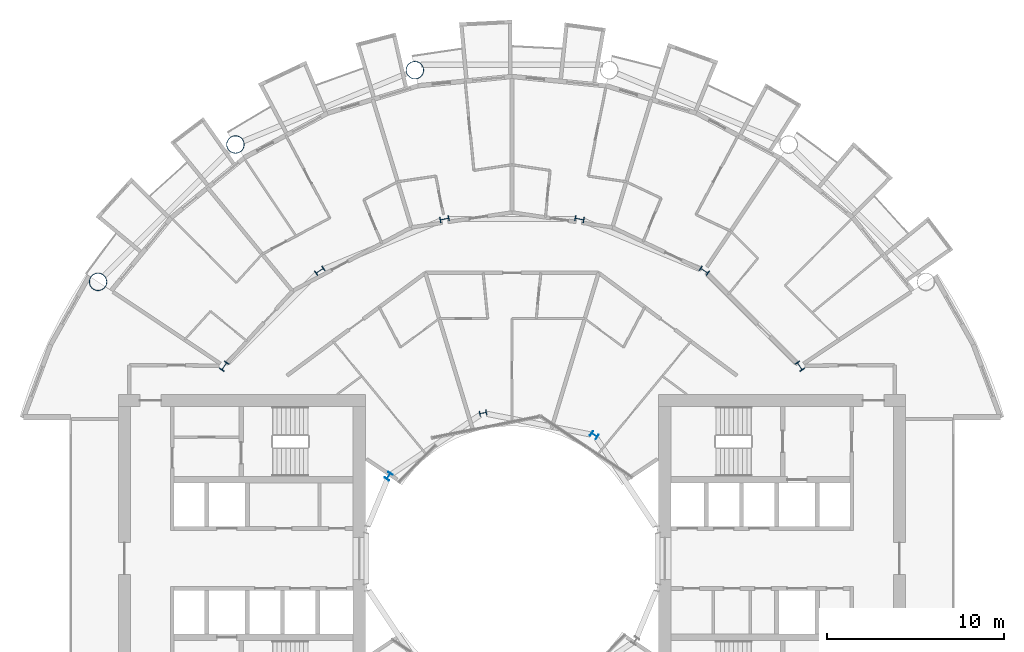
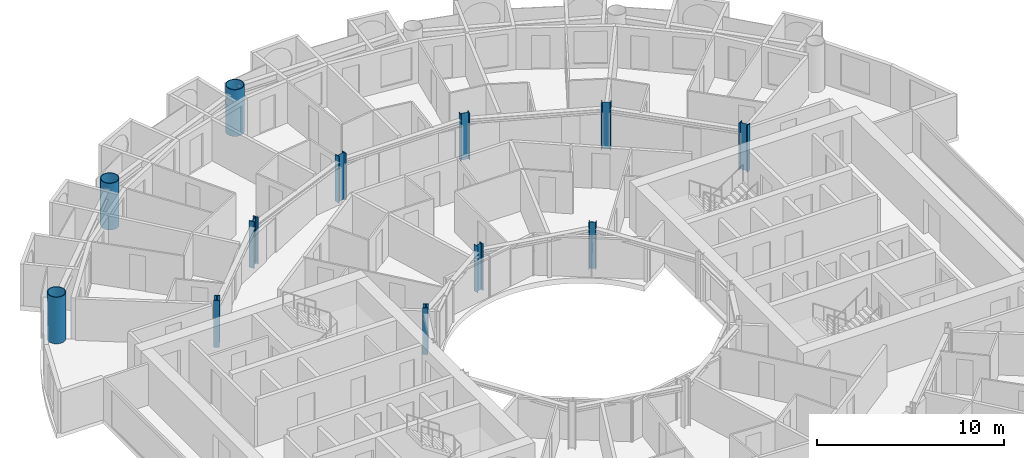
# One storey, part 3 of 26: 12 columns.
"""IFC4 building model written with IfcOpenShell, lengths in metres."""

from ifc_helpers import new_model, si_unit, direction, frame, origin, origin_2d, place, context, subcontext, project, spatial, hollow_circle, i_section, extrude, material, material_profile, profile_set, type_object, element, save


model = new_model("IFC4")

# Units and contexts
model_context = context("Model", 3, precision=1e-05, world=origin(), true_north=direction((0.0, 1.0)))
body_context = subcontext(model_context, "Body", "Model", "MODEL_VIEW")
ifc_project = project(units=[si_unit("LENGTHUNIT", "METRE"), si_unit("AREAUNIT", "SQUARE_METRE"), si_unit("VOLUMEUNIT", "CUBIC_METRE"), si_unit("PLANEANGLEUNIT", "RADIAN"), si_unit("MASSUNIT", "GRAM", prefix="KILO")], contexts=[model_context])

# Site, building, storey
site_placement = place(None, origin())
site = spatial("IfcSite", under=ifc_project, at=site_placement, CompositionType="ELEMENT")
building_placement = place(site_placement, origin())
building = spatial("IfcBuilding", under=site, at=building_placement, Name="Maasbend Ring Residences", CompositionType="ELEMENT")
storey_placement = place(building_placement, frame((0.0, 0.0, 75.800048828125)))
storey = spatial("IfcBuildingStorey", under=building, at=storey_placement, Name="L21", CompositionType="ELEMENT", Elevation=75.800048828125)

# Columns
ifc_material_1 = material(Name="Composite concrete-filled steel tube S460NH / C80/95", Category="concrete")
ifc_material_profile_1 = material_profile(ifc_material_1, hollow_circle(Radius=0.508056640625, WallThickness=0.0400390625, at=origin_2d()), Name="Composite tube column CHS 1016x40")
ifc_profile_set_1 = profile_set([ifc_material_profile_1], Name="Composite concrete-filled steel tube S460NH / C80/95")
column_type_1 = type_object("IfcColumnType", Name="Composite tube column CHS 1016x40", PredefinedType="COLUMN", material=ifc_profile_set_1)
for number, where, z_axis, x_axis, name in (
    (1, (-5.50146484375, 27.658203125, 0.0), (0.0, 0.0, 1.0), (1.0, 0.0, 0.0), "Outer column R5"),
    (2, (-15.6669921875, 23.447509765625, 0.0), (0.0, 0.0, 1.0), (1.0, 0.0, 0.0), "Outer column R6"),
    (3, (-23.447509765625, 15.6669921875, 0.0), (0.0, 0.0, 1.0), (1.0, 0.0, 0.0), "Outer column R7"),
):
    element("IfcColumn", number, at=place(storey_placement, frame(where, z_axis=z_axis, x_axis=x_axis)), inside=storey, type_object=column_type_1, Name=name, PredefinedType="COLUMN", context=body_context, shape_type="SweptSolid", body=[
        extrude(hollow_circle(Radius=0.508056640625, WallThickness=0.0400390625, at=origin_2d()), origin(), (0.0, 0.0, 1.0), 3.050048828125),
    ])
ifc_material_2 = material(Name="Steel S355J2", Category="steel")
ifc_material_profile_2 = material_profile(ifc_material_2, i_section(OverallWidth=0.300048828125, OverallDepth=0.39990234375, WebThickness=0.013427734375, FlangeThickness=0.02392578125, FilletRadius=0.027099609375, at=origin_2d()), Name="HEB 400")
ifc_profile_set_2 = profile_set([ifc_material_profile_2], Name="Steel S355J2")
column_type_2 = type_object("IfcColumnType", Name="Steel column HEB 400", PredefinedType="COLUMN", material=ifc_profile_set_2)
for number, where, z_axis, x_axis, name in (
    (4, (4.666748046875, 6.984375, 0.0), (0.0, 0.0, 1.0), (0.55557023302, 0.831469612303, 0.0), "Well ring column R3"),
    (5, (-1.638916015625, 8.238525390625, 0.0), (0.0, 0.0, 1.0), (-0.195090322016, 0.980785280403, 0.0), "Well ring column R5"),
    (6, (-6.984375, 4.666748046875, 0.0), (0.0, 0.0, 1.0), (-0.831469612303, 0.55557023302, 0.0), "Well ring column R7"),
):
    element("IfcColumn", number, at=place(storey_placement, frame(where, z_axis=z_axis, x_axis=x_axis)), inside=storey, type_object=column_type_2, Name=name, PredefinedType="COLUMN", context=body_context, shape_type="SweptSolid", body=[
        extrude(i_section(OverallWidth=0.300048828125, OverallDepth=0.39990234375, WebThickness=0.013427734375, FlangeThickness=0.02392578125, FilletRadius=0.027099609375, at=origin_2d()), origin(), (0.0, 0.0, 1.0), 3.050048828125),
    ])
ifc_material_3 = material(Name="Steel S460M", Category="steel")
ifc_material_profile_3 = material_profile(ifc_material_3, i_section(OverallWidth=0.305908203125, OverallDepth=0.52392578125, WebThickness=0.02099609375, FlangeThickness=0.0400390625, FilletRadius=0.027099609375, at=origin_2d()), Name="HEM 500")
ifc_profile_set_3 = profile_set([ifc_material_profile_3], Name="Steel S460M")
column_type_3 = type_object("IfcColumnType", Name="Steel column HEM 500", PredefinedType="COLUMN", material=ifc_profile_set_3)
for number, where, z_axis, x_axis, name in (
    (7, (16.296875, 10.88916015625, 0.0), (0.0, 0.0, 1.0), (0.831469612303, 0.55557023302, 0.0), "Corridor ring column R2"),
    (8, (10.88916015625, 16.296875, 0.0), (0.0, 0.0, 1.0), (0.55557023302, 0.831469612303, 0.0), "Corridor ring column R3"),
    (9, (3.82373046875, 19.223388671875, 0.0), (0.0, 0.0, 1.0), (0.195090322016, 0.980785280403, 0.0), "Corridor ring column R4"),
    (10, (-3.82373046875, 19.223388671875, 0.0), (0.0, 0.0, 1.0), (-0.195090322016, 0.980785280403, 0.0), "Corridor ring column R5"),
    (11, (-10.88916015625, 16.296875, 0.0), (0.0, 0.0, 1.0), (-0.55557023302, 0.831469612303, 0.0), "Corridor ring column R6"),
    (12, (-16.296875, 10.88916015625, 0.0), (0.0, 0.0, 1.0), (-0.831469612303, 0.55557023302, 0.0), "Corridor ring column R7"),
):
    element("IfcColumn", number, at=place(storey_placement, frame(where, z_axis=z_axis, x_axis=x_axis)), inside=storey, type_object=column_type_3, Name=name, PredefinedType="COLUMN", context=body_context, shape_type="SweptSolid", body=[
        extrude(i_section(OverallWidth=0.305908203125, OverallDepth=0.52392578125, WebThickness=0.02099609375, FlangeThickness=0.0400390625, FilletRadius=0.027099609375, at=origin_2d()), origin(), (0.0, 0.0, 1.0), 3.050048828125),
    ])

save(model, "model.ifc")
